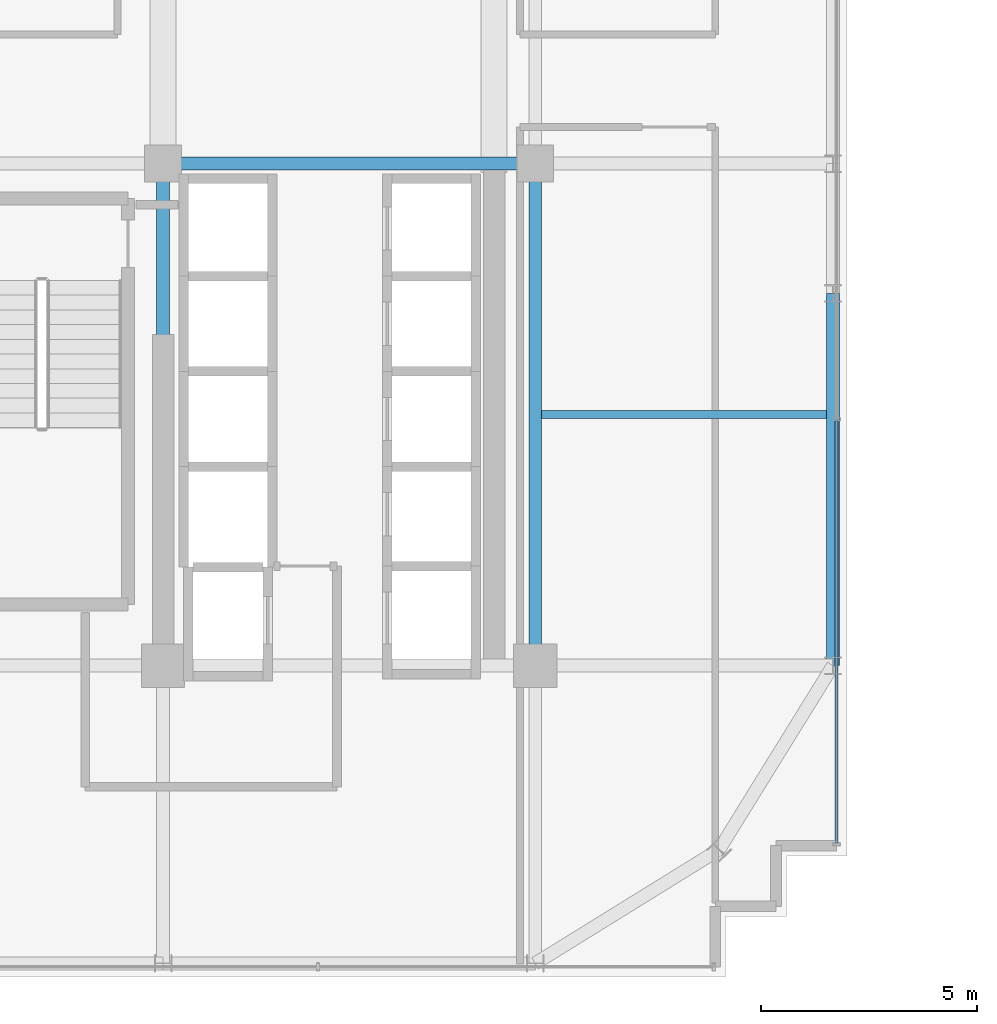
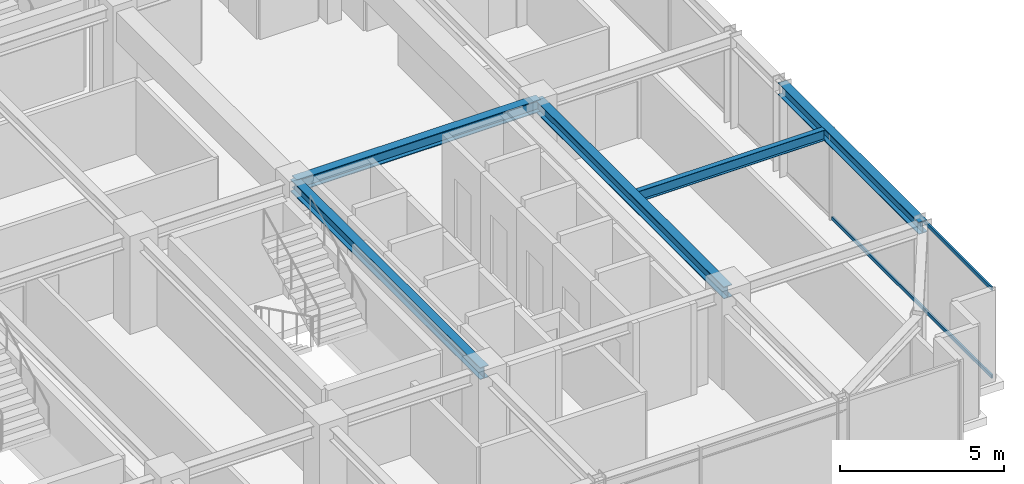
# One storey, part 14 of 36: 5 beams, 2 members, 1 element without a shape of its own.
"""IFC4 building model written with IfcOpenShell, lengths in metres."""

from ifc_helpers import new_model, si_unit, direction, frame, origin, origin_2d, place, context, subcontext, project, spatial, hollow_rectangle, i_section, extrude, source, transform, mapped, material, material_profile, profile_set, type_object, element, aggregate, save


model = new_model("IFC4")

# Units and contexts
model_context = context("Model", 3, precision=1e-05, world=origin(), true_north=direction((0.0, 1.0)))
body_context = subcontext(model_context, "Body", "Model", "MODEL_VIEW")
ifc_project = project(units=[si_unit("LENGTHUNIT", "METRE"), si_unit("AREAUNIT", "SQUARE_METRE"), si_unit("VOLUMEUNIT", "CUBIC_METRE"), si_unit("PLANEANGLEUNIT", "RADIAN"), si_unit("MASSUNIT", "GRAM", prefix="KILO")], contexts=[model_context])

# Site, building, storey
site_placement = place(None, origin())
site = spatial("IfcSite", under=ifc_project, at=site_placement, CompositionType="ELEMENT")
building_placement = place(site_placement, origin())
building = spatial("IfcBuilding", under=site, at=building_placement, Name="Nahalor Promenade Grand Hotel", CompositionType="ELEMENT")
storey_placement = place(building_placement, frame((0.0, 0.0, 253.0)))
storey = spatial("IfcBuildingStorey", under=building, at=storey_placement, Name="L65", CompositionType="ELEMENT", Elevation=253.0)

# Beams
ifc_material_1 = material(Name="Steel S355JR", Category="steel")
ifc_material_profile_1 = material_profile(ifc_material_1, i_section(OverallWidth=0.3, OverallDepth=0.45, WebThickness=0.014, FlangeThickness=0.026, at=origin_2d()), Name="HEB 450")
ifc_profile_set_1 = profile_set([ifc_material_profile_1], Name="Steel S355JR")
beam_type_1 = type_object("IfcBeamType", Name="Beam-Spandrel-HEB450", PredefinedType="SPANDREL", material=ifc_profile_set_1)
shared_shape_1 = source(origin(), body_context, "Body", "SweptSolid", [
    extrude(i_section(OverallWidth=0.3, OverallDepth=0.45, WebThickness=0.014, FlangeThickness=0.026, at=origin_2d()), origin(), (0.0, 0.0, 1.0), 8.60009765625),
])
beam_1_placement = place(storey_placement, frame((23.8798828125, -17.0, 3.18505859375), z_axis=(0.0, 1.0, 0.0), x_axis=(-1.0, 0.0, 0.0)))
element("IfcBeam", 1, at=beam_1_placement, inside=storey, type_object=beam_type_1, Name="BM-L65-SP-E-0", PredefinedType="SPANDREL", context=body_context, shape_type="MappedRepresentation", body=[
    mapped(shared_shape_1, transform((0.0, 0.0, 0.0), scale=1.0)),
])
ifc_material_profile_2 = material_profile(ifc_material_1, i_section(OverallWidth=0.3, OverallDepth=0.45, WebThickness=0.014, FlangeThickness=0.026, at=origin_2d()), Name="HEB 450")
ifc_profile_set_2 = profile_set([ifc_material_profile_2], Name="Steel S355JR")
beam_type_2 = type_object("IfcBeamType", Name="Beam-Girder-HEB450", PredefinedType="BEAM", material=ifc_profile_set_2)
shared_shape_2 = source(origin(), body_context, "Body", "SweptSolid", [
    extrude(i_section(OverallWidth=0.3, OverallDepth=0.45, WebThickness=0.014, FlangeThickness=0.026, at=origin_2d()), origin(), (0.0, 0.0, 1.0), 8.60009765625),
])
beam_2_placement = place(storey_placement, frame((8.39990234375, -5.39990234375, 3.18505859375), z_axis=(1.0, 0.0, 0.0), x_axis=(0.0, 1.0, 0.0)))
element("IfcBeam", 2, at=beam_2_placement, inside=storey, type_object=beam_type_2, Name="BM-L65-GX-1-5", PredefinedType="BEAM", context=body_context, shape_type="MappedRepresentation", body=[
    mapped(shared_shape_2, transform((0.0, 0.0, 0.0), scale=1.0)),
])
shared_shape_3 = source(origin(), body_context, "Body", "SweptSolid", [
    extrude(i_section(OverallWidth=0.3, OverallDepth=0.45, WebThickness=0.014, FlangeThickness=0.026, at=origin_2d()), origin(), (0.0, 0.0, 1.0), 11.60009765625),
])
for number, where, z_axis, x_axis, name in (
    (3, (8.39990234375, -17.0, 3.18505859375), (0.0, 1.0, 0.0), (-1.0, 0.0, 0.0), "BM-L65-GY-4-1"),
    (4, (17.0, -17.0, 3.18505859375), (0.0, 1.0, 0.0), (-1.0, 0.0, 0.0), "BM-L65-GY-5-1"),
):
    element("IfcBeam", number, at=place(storey_placement, frame(where, z_axis=z_axis, x_axis=x_axis)), inside=storey, type_object=beam_type_2, Name=name, PredefinedType="BEAM", context=body_context, shape_type="MappedRepresentation", body=[
        mapped(shared_shape_3, transform((0.0, 0.0, 0.0), scale=1.0)),
    ])
ifc_material_profile_3 = material_profile(ifc_material_1, i_section(OverallWidth=0.18, OverallDepth=0.4, WebThickness=0.0086, FlangeThickness=0.0135, at=origin_2d()), Name="IPE 400")
ifc_profile_set_3 = profile_set([ifc_material_profile_3], Name="Steel S355JR")
beam_type_3 = type_object("IfcBeamType", Name="Beam-Joist-IPE400", PredefinedType="JOIST", material=ifc_profile_set_3)
shared_shape_4 = source(origin(), body_context, "Body", "SweptSolid", [
    extrude(i_section(OverallWidth=0.18, OverallDepth=0.4, WebThickness=0.0086, FlangeThickness=0.0135, at=origin_2d()), origin(), (0.0, 0.0, 1.0), 6.580078125),
])
beam_3_placement = place(storey_placement, frame((17.14990234375, -11.199951171875, 3.2099609375), z_axis=(1.0, 0.0, 0.0), x_axis=(0.0, 1.0, 0.0)))
element("IfcBeam", 5, at=beam_3_placement, inside=storey, type_object=beam_type_3, Name="BM-L65-JSE-0-2", PredefinedType="JOIST", context=body_context, shape_type="MappedRepresentation", body=[
    mapped(shared_shape_4, transform((0.0, 0.0, 0.0), scale=1.0)),
])

# Curtain wall, members
ifc_material_2 = material(Name="Anodised Bronze Aluminium EN AW-6063 T6", Category="aluminium")
curtain_wall_type = type_object("IfcCurtainWallType", Name="CW2 Typical Hotel Flush Bronze Unitised Curtain Wall", PredefinedType="USERDEFINED", material=ifc_material_2)
curtain_wall_placement = place(storey_placement, origin())
curtain_wall = element("IfcCurtainWall", 6, at=curtain_wall_placement, inside=storey, type_object=curtain_wall_type, Name="L65 Curtain Wall CW-L65-E-1", ObjectType="UNITISED_CURTAIN_WALL", PredefinedType="USERDEFINED")
ifc_material_profile_4 = material_profile(ifc_material_2, hollow_rectangle(XDim=0.065, YDim=0.13, WallThickness=0.004, at=origin_2d()), Name="CWT 65x130x4")
ifc_profile_set_4 = profile_set([ifc_material_profile_4], Name="Anodised Bronze Aluminium EN AW-6063 T6")
member_type = type_object("IfcMemberType", Name="CWT2 Typical Bronze Transom 65x130", PredefinedType="USERDEFINED", material=ifc_profile_set_4)
shared_shape_5 = source(origin(), body_context, "Body", "SweptSolid", [
    extrude(hollow_rectangle(XDim=0.065, YDim=0.13, WallThickness=0.004, at=origin_2d()), origin(), (0.0, 0.0, 1.0), 9.755859375),
])
member_1_placement = place(storey_placement, frame((23.9599609375, -21.094970703125, 0.06494140625), z_axis=(0.0, 1.0, 0.0), x_axis=(-1.0, 0.0, 0.0)))
member_1 = element("IfcMember", 7, at=member_1_placement, type_object=member_type, Name="CW-L65-E-1 Transom 0-0", ObjectType="TRANSOM", PredefinedType="USERDEFINED", context=body_context, shape_type="MappedRepresentation", body=[
    mapped(shared_shape_5, transform((0.0, 0.0, 0.0), scale=1.0)),
])
member_2_placement = place(storey_placement, frame((23.9599609375, -21.094970703125, 3.344970703125), z_axis=(0.0, 1.0, 0.0), x_axis=(-1.0, 0.0, 0.0)))
member_2 = element("IfcMember", 8, at=member_2_placement, type_object=member_type, Name="CW-L65-E-1 Transom 0-1", ObjectType="TRANSOM", PredefinedType="USERDEFINED", context=body_context, shape_type="MappedRepresentation", body=[
    mapped(shared_shape_5, transform((0.0, 0.0, 0.0), scale=1.0)),
])
aggregate(curtain_wall, [member_1, member_2])

save(model, "model.ifc")
